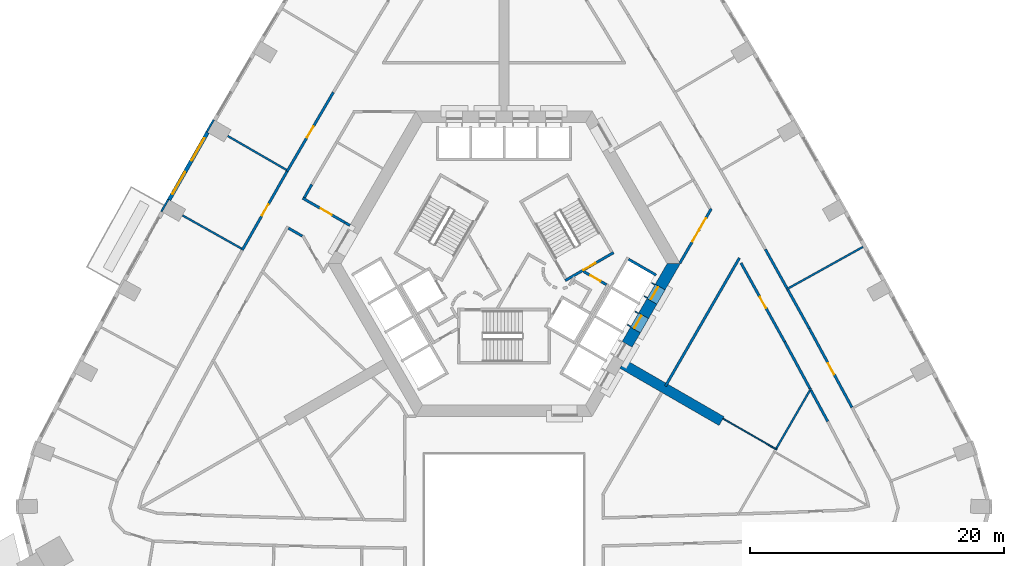
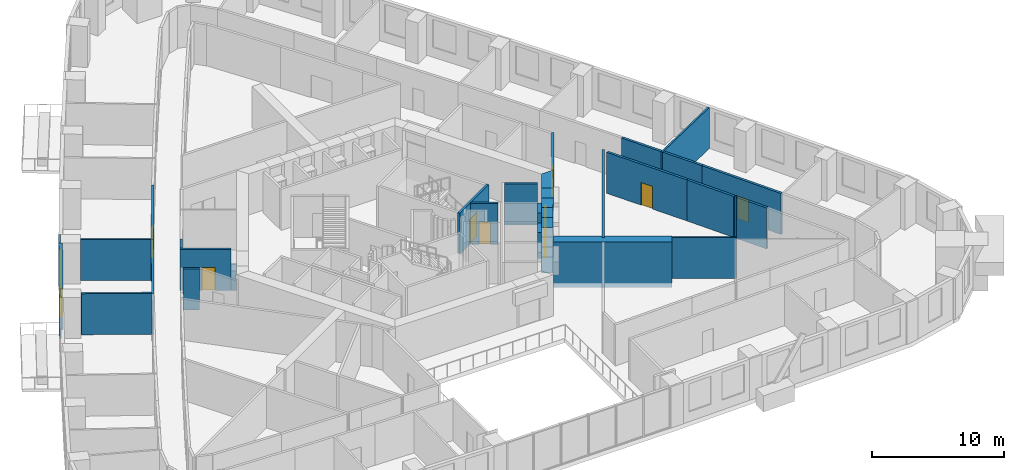
# One storey, part 8 of 15: 33 walls, 11 doors, 2 windows, 13 openings.
"""IFC4 building model written with IfcOpenShell, lengths in metres."""

from ifc_helpers import new_model, si_unit, direction, frame, frame_2d, origin, place, context, subcontext, project, spatial, polyline, rectangle, outline, extrude, material, layer, layer_set, type_object, element, fill, save


model = new_model("IFC4")

# Units and contexts
model_context = context("Model", 3, precision=1e-05, world=origin(), true_north=direction((0.0, 1.0)))
body_context = subcontext(model_context, "Body", "Model", "MODEL_VIEW")
ifc_project = project(units=[si_unit("LENGTHUNIT", "METRE"), si_unit("AREAUNIT", "SQUARE_METRE"), si_unit("VOLUMEUNIT", "CUBIC_METRE"), si_unit("PLANEANGLEUNIT", "RADIAN"), si_unit("MASSUNIT", "GRAM", prefix="KILO")], contexts=[model_context])

# Site, building, storey
site_placement = place(None, origin())
site = spatial("IfcSite", under=ifc_project, at=site_placement, CompositionType="ELEMENT")
building_placement = place(site_placement, origin())
building = spatial("IfcBuilding", under=site, at=building_placement, Name="Entoto Arch Interchange Tower", CompositionType="ELEMENT")
storey_placement = place(building_placement, frame((0.0, 0.0, 107.60009765625)))
storey = spatial("IfcBuildingStorey", under=building, at=storey_placement, Name="L23", CompositionType="ELEMENT", Elevation=107.60009765625)

# Walls
ifc_material_1 = material(Name="Concrete C60/75", Category="concrete")
ifc_layer_1 = layer(ifc_material_1, 0.800048828125)
ifc_layer_set_1 = layer_set([ifc_layer_1], Name="Concrete C60/75")
wall_type_1 = type_object("IfcWallType", Name="Buttress wall 800 C60/75", PredefinedType="SHEAR", material=ifc_layer_set_1)
wall_1_placement = place(storey_placement, frame((9.31005859375, -5.375, -0.400146484375), z_axis=(0.0, 0.0, 1.0), x_axis=(0.866017533419, -0.500013631625, 0.0)))
element("IfcWall", 1, at=wall_1_placement, inside=storey, type_object=wall_type_1, Name="Buttress wall SE L23", PredefinedType="SHEAR", context=body_context, shape_type="SweptSolid", body=[
    extrude(rectangle(XDim=8.999755859375, YDim=0.800048828125, at=frame_2d((4.5, 0.0))), origin(), (0.0, 0.0, 1.0), 4.199951171875),
])
ifc_layer_2 = layer(ifc_material_1, 0.89990234375)
ifc_layer_set_2 = layer_set([ifc_layer_2], Name="Concrete C60/75")
wall_type_2 = type_object("IfcWallType", Name="Core wall 900 C60/75", PredefinedType="SHEAR", material=ifc_layer_set_2)
wall_2_placement = place(storey_placement, frame((0.0, 0.0, -0.400146484375)))
element("IfcWall", 2, at=wall_2_placement, inside=storey, type_object=wall_type_2, Name="Core wall SE L23", PredefinedType="SHEAR", context=body_context, shape_type="SweptSolid", body=[
    extrude(outline(polyline([(10.717041015625, -2.93701171875), (9.93798828125, -2.487060546875), (9.2880859375, -3.613037109375), (10.06689453125, -4.06298828125), (10.717041015625, -2.93701171875)])), origin(), (0.0, 0.0, 1.0), 4.199951171875),
])
wall_3_placement = place(storey_placement, frame((0.0, 0.0, -0.400146484375)))
element("IfcWall", 3, at=wall_3_placement, inside=storey, type_object=wall_type_2, Name="Core wall SE L23", PredefinedType="SHEAR", context=body_context, shape_type="SweptSolid", body=[
    extrude(outline(polyline([(12.01708984375, -0.68603515625), (11.238037109375, -0.236083984375), (10.587890625, -1.361083984375), (11.366943359375, -1.81103515625), (12.01708984375, -0.68603515625)])), origin(), (0.0, 0.0, 1.0), 4.199951171875),
])
wall_4_placement = place(storey_placement, frame((0.0, 0.0, -0.400146484375)))
element("IfcWall", 4, at=wall_4_placement, inside=storey, type_object=wall_type_2, Name="Core wall SE L23", PredefinedType="SHEAR", context=body_context, shape_type="SweptSolid", body=[
    extrude(outline(polyline([(11.887939453125, 0.889892578125), (12.6669921875, 0.43994140625), (13.85595703125, 2.5), (12.81689453125, 2.5), (11.887939453125, 0.889892578125)])), origin(), (0.0, 0.0, 1.0), 4.199951171875),
])
wall_5_placement = place(storey_placement, frame((0.0, 0.0, 3.599853515625)))
element("IfcWall", 5, at=wall_5_placement, inside=storey, type_object=wall_type_2, Name="Core wall lintel SE L23", PredefinedType="SHEAR", context=body_context, shape_type="SweptSolid", body=[
    extrude(outline(polyline([(11.366943359375, -1.81103515625), (10.587890625, -1.361083984375), (9.93798828125, -2.487060546875), (10.717041015625, -2.93701171875), (11.366943359375, -1.81103515625)])), origin(), (0.0, 0.0, 1.0), 0.199951171875),
])
wall_6_placement = place(storey_placement, frame((0.0, 0.0, 3.599853515625)))
element("IfcWall", 6, at=wall_6_placement, inside=storey, type_object=wall_type_2, Name="Core wall lintel SE L23", PredefinedType="SHEAR", context=body_context, shape_type="SweptSolid", body=[
    extrude(outline(polyline([(12.6669921875, 0.43994140625), (11.887939453125, 0.889892578125), (11.238037109375, -0.236083984375), (12.01708984375, -0.68603515625), (12.6669921875, 0.43994140625)])), origin(), (0.0, 0.0, 1.0), 0.199951171875),
])

# Wall, opening, door
ifc_material_2 = material(Name="Concrete C40/50", Category="concrete")
ifc_layer_3 = layer(ifc_material_2, 1.199951171875)
ifc_layer_set_3 = layer_set([ifc_layer_3], Name="Concrete C40/50")
wall_type_3 = type_object("IfcWallType", Name="LIFT LANDING INFILL WALL", PredefinedType="STANDARD", material=ifc_layer_set_3)
wall_7_placement = place(storey_placement, frame((10.197998046875, -2.636962890625, 0.0), z_axis=(0.0, 0.0, 1.0), x_axis=(0.49989585183, 0.866085525409, 0.0)))
wall_7 = element("IfcWall", 7, at=wall_7_placement, inside=storey, type_object=wall_type_3, Name="Lift landing infill wall LR7 L23", PredefinedType="STANDARD", context=body_context, shape_type="SweptSolid", body=[
    extrude(rectangle(XDim=1.300048828125, YDim=1.199951171875, at=frame_2d((0.64990234375, 0.0))), origin(), (0.0, 0.0, 1.0), 2.39990234375),
])
opening_1_placement = place(wall_7_placement, frame((0.10009765625, 0.0, 0.0)))
opening_1 = element("IfcOpeningElement", 8, at=opening_1_placement, cuts=wall_7, Name="Opening LD-LR7-L23", PredefinedType="OPENING", context=body_context, shape_type="SweptSolid", body=[
    extrude(rectangle(XDim=1.10009765625, YDim=2.300048828125, at=frame_2d((0.550048828125, 1.14990234375))), frame((0.0, 0.60986328125, 0.0), z_axis=(0.0, -1.0, 0.0), x_axis=(1.0, 0.0, 0.0)), (0.0, 0.0, 1.0), 1.219970703125),
])
ifc_material_3 = material(Name="Stainless steel 1.4301 panels", Category="steel")
door_type_1 = type_object("IfcDoorType", Name="LIFT LANDING DOOR LD2 1100x2300", OperationType="SLIDING_TO_LEFT", PredefinedType="DOOR", material=ifc_material_3)
door_1_placement = place(opening_1_placement, origin())
door_1 = element("IfcDoor", 9, at=door_1_placement, inside=storey, type_object=door_type_1, Name="Lift landing door LR7 L23", OperationType="SLIDING_TO_LEFT", OverallHeight=2.300048828125, OverallWidth=1.10009765625, PredefinedType="DOOR", context=body_context, shape_type="SweptSolid", body=[
    extrude(rectangle(XDim=1.10009765625, YDim=2.300048828125, at=frame_2d((0.550048828125, 1.14990234375))), frame((0.0, 0.02490234375, 0.0), z_axis=(0.0, -1.0, 0.0), x_axis=(1.0, 0.0, 0.0)), (0.0, 0.0, 1.0), 0.050048828125),
])
fill(opening_1, door_1)

wall_8_placement = place(storey_placement, frame((11.498046875, -0.385009765625, 0.0), z_axis=(0.0, 0.0, 1.0), x_axis=(0.500221244143, 0.865897630733, 0.0)))
wall_8 = element("IfcWall", 10, at=wall_8_placement, inside=storey, type_object=wall_type_3, Name="Lift landing infill wall LR8 L23", PredefinedType="STANDARD", context=body_context, shape_type="SweptSolid", body=[
    extrude(rectangle(XDim=1.29931640625, YDim=1.199951171875, at=frame_2d((0.649658203125, 0.0))), origin(), (0.0, 0.0, 1.0), 2.39990234375),
])
opening_2_placement = place(wall_8_placement, frame((0.10009765625, 0.0, 0.0)))
opening_2 = element("IfcOpeningElement", 11, at=opening_2_placement, cuts=wall_8, Name="Opening LD-LR8-L23", PredefinedType="OPENING", context=body_context, shape_type="SweptSolid", body=[
    extrude(rectangle(XDim=1.10009765625, YDim=2.300048828125, at=frame_2d((0.550048828125, 1.14990234375))), frame((0.0, 0.60986328125, 0.0), z_axis=(0.0, -1.0, 0.0), x_axis=(1.0, 0.0, 0.0)), (0.0, 0.0, 1.0), 1.219970703125),
])
door_2_placement = place(opening_2_placement, origin())
door_2 = element("IfcDoor", 12, at=door_2_placement, inside=storey, type_object=door_type_1, Name="Lift landing door LR8 L23", OperationType="SLIDING_TO_LEFT", OverallHeight=2.300048828125, OverallWidth=1.10009765625, PredefinedType="DOOR", context=body_context, shape_type="SweptSolid", body=[
    extrude(rectangle(XDim=1.10009765625, YDim=2.300048828125, at=frame_2d((0.550048828125, 1.14990234375))), frame((0.0, 0.02490234375, 0.0), z_axis=(0.0, -1.0, 0.0), x_axis=(1.0, 0.0, 0.0)), (0.0, 0.0, 1.0), 0.050048828125),
])
fill(opening_2, door_2)

# Walls
ifc_layer_4 = layer(ifc_material_2, 0.199951171875)
ifc_layer_set_4 = layer_set([ifc_layer_4], Name="Concrete C40/50")
wall_type_4 = type_object("IfcWallType", Name="LIFT SHAFT WALL 200", PredefinedType="STANDARD", material=ifc_layer_set_4)
wall_9_placement = place(storey_placement, frame((9.7880859375, 2.85302734375, 0.0), z_axis=(0.0, 0.0, 1.0), x_axis=(0.865998541277, -0.500046524342, 0.0)))
element("IfcWall", 13, at=wall_9_placement, inside=storey, type_object=wall_type_4, Name="Shaft wall SE3 cross 5", PredefinedType="STANDARD", context=body_context, shape_type="SweptSolid", body=[
    extrude(rectangle(XDim=2.499755859375, YDim=0.199951171875, at=frame_2d((1.25, 0.0))), origin(), (0.0, 0.0, 1.0), 3.7998046875),
])
ifc_material_4 = material(Name="Gypsum board partition on steel studs", Category="steel")
ifc_layer_5 = layer(ifc_material_4, 0.10009765625)
ifc_layer_set_5 = layer_set([ifc_layer_5], Name="Gypsum board partition on steel studs")
wall_type_5 = type_object("IfcWallType", Name="PARTITION 100", PredefinedType="PARTITIONING", material=ifc_layer_set_5)
wall_10_placement = place(storey_placement, frame((17.218994140625, -9.676025390625, 0.0), z_axis=(0.0, 0.0, 1.0), x_axis=(0.86598459596, -0.500070674565, 0.0)))
element("IfcWall", 14, at=wall_10_placement, inside=storey, type_object=wall_type_5, Name="wall:L23:p123", PredefinedType="PARTITIONING", context=body_context, shape_type="SweptSolid", body=[
    extrude(rectangle(XDim=4.875244140625, YDim=0.10009765625, at=frame_2d((2.4375, 0.0))), origin(), (0.0, 0.0, 1.0), 3.7998046875),
])
ifc_layer_6 = layer(ifc_material_4, 0.14990234375)
ifc_layer_set_6 = layer_set([ifc_layer_6], Name="Gypsum board partition on steel studs")
wall_type_6 = type_object("IfcWallType", Name="PARTITION 150", PredefinedType="PARTITIONING", material=ifc_layer_set_6)
wall_11_placement = place(storey_placement, frame((24.136962890625, -7.2939453125, 0.0), z_axis=(0.0, 0.0, 1.0), x_axis=(-0.500001804394, -0.866024362014, 0.0)))
element("IfcWall", 15, at=wall_11_placement, inside=storey, type_object=wall_type_6, Name="wall:L23:p125", PredefinedType="PARTITIONING", context=body_context, shape_type="SweptSolid", body=[
    extrude(rectangle(XDim=5.47216796875, YDim=0.14990234375, at=frame_2d((2.736083984375, 0.0))), origin(), (0.0, 0.0, 1.0), 3.7998046875),
])
wall_12_placement = place(storey_placement, frame((22.18505859375, 0.472900390625, 0.0), z_axis=(0.0, 0.0, 1.0), x_axis=(0.874372498137, 0.485255329184, 0.0)))
element("IfcWall", 16, at=wall_12_placement, inside=storey, type_object=wall_type_6, Name="wall:L23:p141", PredefinedType="PARTITIONING", context=body_context, shape_type="SweptSolid", body=[
    extrude(rectangle(XDim=6.899658203125, YDim=0.14990234375, at=frame_2d((3.44970703125, 0.0))), origin(), (0.0, 0.0, 1.0), 3.7998046875),
])
wall_13_placement = place(storey_placement, frame((-17.10400390625, 9.875, 0.0), z_axis=(0.0, 0.0, 1.0), x_axis=(-0.866024640963, 0.500001321243, 0.0)))
element("IfcWall", 17, at=wall_13_placement, inside=storey, type_object=wall_type_6, Name="wall:L23:p148", PredefinedType="PARTITIONING", context=body_context, shape_type="SweptSolid", body=[
    extrude(rectangle(XDim=5.330078125, YDim=0.14990234375, at=frame_2d((2.6650390625, 0.0))), origin(), (0.0, 0.0, 1.0), 3.7998046875),
])
wall_14_placement = place(storey_placement, frame((-20.631103515625, 3.68505859375, 0.0), z_axis=(0.0, 0.0, 1.0), x_axis=(-0.871680720442, 0.490074200106, 0.0)))
element("IfcWall", 18, at=wall_14_placement, inside=storey, type_object=wall_type_6, Name="wall:L23:p149", PredefinedType="PARTITIONING", context=body_context, shape_type="SweptSolid", body=[
    extrude(rectangle(XDim=5.329833984375, YDim=0.14990234375, at=frame_2d((2.6650390625, 0.0))), origin(), (0.0, 0.0, 1.0), 3.7998046875),
])
ifc_layer_7 = layer(ifc_material_4, 0.199951171875)
ifc_layer_set_7 = layer_set([ifc_layer_7], Name="Gypsum board partition on steel studs")
wall_type_7 = type_object("IfcWallType", Name="PARTITION 200", PredefinedType="PARTITIONING", material=ifc_layer_set_7)
wall_15_placement = place(storey_placement, frame((-15.112060546875, 8.72509765625, 0.0), z_axis=(0.0, 0.0, 1.0), x_axis=(-0.495074026382, -0.868850797549, 0.0)))
element("IfcWall", 19, at=wall_15_placement, inside=storey, type_object=wall_type_7, Name="wall:L23:p003", PredefinedType="PARTITIONING", context=body_context, shape_type="SweptSolid", body=[
    extrude(rectangle(XDim=1.185546875, YDim=0.199951171875, at=frame_2d((0.5927734375, 0.0))), origin(), (0.0, 0.0, 1.0), 3.7998046875),
])

# Wall, opening, door
wall_16_placement = place(storey_placement, frame((-15.8349609375, 7.657958984375, 0.0), z_axis=(0.0, 0.0, 1.0), x_axis=(0.866076614194, -0.499911290476, 0.0)))
wall_16 = element("IfcWall", 20, at=wall_16_placement, inside=storey, type_object=wall_type_7, Name="wall:L23:p004", PredefinedType="PARTITIONING", context=body_context, shape_type="SweptSolid", body=[
    extrude(rectangle(XDim=3.842529296875, YDim=0.199951171875, at=frame_2d((1.92138671875, 0.0))), origin(), (0.0, 0.0, 1.0), 3.7998046875),
])
opening_3_placement = place(wall_16_placement, frame((1.64599609375, 0.0, 0.0)))
opening_3 = element("IfcOpeningElement", 21, at=opening_3_placement, cuts=wall_16, Name="Opening L23-D33", PredefinedType="OPENING", context=body_context, shape_type="SweptSolid", body=[
    extrude(rectangle(XDim=1.0, YDim=2.10009765625, at=frame_2d((0.5, 1.050048828125))), frame((0.0, 0.10986328125, 0.0), z_axis=(0.0, -1.0, 0.0), x_axis=(1.0, 0.0, 0.0)), (0.0, 0.0, 1.0), 0.219970703125),
])
ifc_material_5 = material(Name="Timber door leaf in Steel S235 frame", Category="steel")
door_type_2 = type_object("IfcDoorType", Name="DOOR DS-10 1000x2100", OperationType="SINGLE_SWING_LEFT", PredefinedType="DOOR", material=ifc_material_5)
door_3_placement = place(opening_3_placement, origin())
door_3 = element("IfcDoor", 22, at=door_3_placement, inside=storey, type_object=door_type_2, Name="door:L23:33", OperationType="SINGLE_SWING_LEFT", OverallHeight=2.10009765625, OverallWidth=1.0, PredefinedType="DOOR", context=body_context, shape_type="SweptSolid", body=[
    extrude(rectangle(XDim=1.0, YDim=2.10009765625, at=frame_2d((0.5, 1.050048828125))), frame((0.0, 0.02490234375, 0.0), z_axis=(0.0, -1.0, 0.0), x_axis=(1.0, 0.0, 0.0)), (0.0, 0.0, 1.0), 0.050048828125),
])
fill(opening_3, door_3)

# Wall
wall_17_placement = place(storey_placement, frame((24.051025390625, -7.31494140625, 0.0), z_axis=(0.0, 0.0, 1.0), x_axis=(-0.475308630647, 0.87981913234, 0.0)))
element("IfcWall", 23, at=wall_17_placement, inside=storey, type_object=wall_type_7, Name="wall:L23:p019", PredefinedType="PARTITIONING", context=body_context, shape_type="SweptSolid", body=[
    extrude(rectangle(XDim=4.165771484375, YDim=0.199951171875, at=frame_2d((2.0830078125, 0.0))), origin(), (0.0, 0.0, 1.0), 3.7998046875),
])

# Wall, opening, door
wall_18_placement = place(storey_placement, frame((22.071044921875, -3.64990234375, 0.0), z_axis=(0.0, 0.0, 1.0), x_axis=(-0.485198988697, 0.874403763354, 0.0)))
wall_18 = element("IfcWall", 24, at=wall_18_placement, inside=storey, type_object=wall_type_7, Name="wall:L23:p020", PredefinedType="PARTITIONING", context=body_context, shape_type="SweptSolid", body=[
    extrude(rectangle(XDim=7.098388671875, YDim=0.199951171875, at=frame_2d((3.54931640625, 0.0))), origin(), (0.0, 0.0, 1.0), 3.7998046875),
])
opening_4_placement = place(wall_18_placement, frame((3.049072265625, 0.0, 0.0)))
opening_4 = element("IfcOpeningElement", 25, at=opening_4_placement, cuts=wall_18, Name="Opening L23-D22", PredefinedType="OPENING", context=body_context, shape_type="SweptSolid", body=[
    extrude(rectangle(XDim=1.0, YDim=2.10009765625, at=frame_2d((0.5, 1.050048828125))), frame((0.0, 0.10986328125, 0.0), z_axis=(0.0, -1.0, 0.0), x_axis=(1.0, 0.0, 0.0)), (0.0, 0.0, 1.0), 0.219970703125),
])
door_4_placement = place(opening_4_placement, origin())
door_4 = element("IfcDoor", 26, at=door_4_placement, inside=storey, type_object=door_type_2, Name="door:L23:22", OperationType="SINGLE_SWING_RIGHT", OverallHeight=2.10009765625, OverallWidth=1.0, PredefinedType="DOOR", context=body_context, shape_type="SweptSolid", body=[
    extrude(rectangle(XDim=1.0, YDim=2.10009765625, at=frame_2d((0.5, 1.050048828125))), frame((0.0, 0.02490234375, 0.0), z_axis=(0.0, -1.0, 0.0), x_axis=(1.0, 0.0, 0.0)), (0.0, 0.0, 1.0), 0.050048828125),
])
fill(opening_4, door_4)

# Walls
wall_19_placement = place(storey_placement, frame((25.446044921875, -9.89599609375, 0.0), z_axis=(0.0, 0.0, 1.0), x_axis=(-0.475427182652, 0.879755076141, 0.0)))
element("IfcWall", 27, at=wall_19_placement, inside=storey, type_object=wall_type_7, Name="wall:L23:p026", PredefinedType="PARTITIONING", context=body_context, shape_type="SweptSolid", body=[
    extrude(rectangle(XDim=2.784912109375, YDim=0.199951171875, at=frame_2d((1.392578125, 0.0))), origin(), (0.0, 0.0, 1.0), 3.7998046875),
])
wall_20_placement = place(storey_placement, frame((-15.860107421875, 4.6708984375, 0.0), z_axis=(0.0, 0.0, 1.0), x_axis=(-0.866192052573, 0.49971124468, 0.0)))
element("IfcWall", 28, at=wall_20_placement, inside=storey, type_object=wall_type_7, Name="wall:L23:p029", PredefinedType="PARTITIONING", context=body_context, shape_type="SweptSolid", body=[
    extrude(rectangle(XDim=1.257080078125, YDim=0.199951171875, at=frame_2d((0.62841796875, 0.0))), origin(), (0.0, 0.0, 1.0), 3.7998046875),
])
wall_21_placement = place(storey_placement, frame((22.30908203125, 0.4560546875, 0.0), z_axis=(0.0, 0.0, 1.0), x_axis=(0.484982854201, -0.87452365956, 0.0)))
element("IfcWall", 29, at=wall_21_placement, inside=storey, type_object=wall_type_7, Name="wall:L23:p050", PredefinedType="PARTITIONING", context=body_context, shape_type="SweptSolid", body=[
    extrude(rectangle(XDim=3.486572265625, YDim=0.199951171875, at=frame_2d((1.7431640625, 0.0))), origin(), (0.0, 0.0, 1.0), 3.7998046875),
])

# Wall, opening, door
wall_22_placement = place(storey_placement, frame((24.0, -2.593017578125, 0.0), z_axis=(0.0, 0.0, 1.0), x_axis=(0.475480817472, -0.879726089312, 0.0)))
wall_22 = element("IfcWall", 30, at=wall_22_placement, inside=storey, type_object=wall_type_7, Name="wall:L23:p051", PredefinedType="PARTITIONING", context=body_context, shape_type="SweptSolid", body=[
    extrude(rectangle(XDim=7.0498046875, YDim=0.199951171875, at=frame_2d((3.52490234375, 0.0))), origin(), (0.0, 0.0, 1.0), 3.7998046875),
])
opening_5_placement = place(wall_22_placement, frame((3.10009765625, 0.0, 0.0)))
opening_5 = element("IfcOpeningElement", 31, at=opening_5_placement, cuts=wall_22, Name="Opening L23-D05", PredefinedType="OPENING", context=body_context, shape_type="SweptSolid", body=[
    extrude(rectangle(XDim=1.0, YDim=2.10009765625, at=frame_2d((0.5, 1.050048828125))), frame((0.0, 0.10986328125, 0.0), z_axis=(0.0, -1.0, 0.0), x_axis=(1.0, 0.0, 0.0)), (0.0, 0.0, 1.0), 0.219970703125),
])
door_5_placement = place(opening_5_placement, origin())
door_5 = element("IfcDoor", 32, at=door_5_placement, inside=storey, type_object=door_type_2, Name="door:L23:05", OperationType="SINGLE_SWING_LEFT", OverallHeight=2.10009765625, OverallWidth=1.0, PredefinedType="DOOR", context=body_context, shape_type="SweptSolid", body=[
    extrude(rectangle(XDim=1.0, YDim=2.10009765625, at=frame_2d((0.5, 1.050048828125))), frame((0.0, 0.02490234375, 0.0), z_axis=(0.0, -1.0, 0.0), x_axis=(1.0, 0.0, 0.0)), (0.0, 0.0, 1.0), 0.050048828125),
])
fill(opening_5, door_5)

# Wall
wall_23_placement = place(storey_placement, frame((20.5439453125, 3.635986328125, 0.0), z_axis=(0.0, 0.0, 1.0), x_axis=(0.485250552989, -0.874375148792, 0.0)))
element("IfcWall", 33, at=wall_23_placement, inside=storey, type_object=wall_type_7, Name="wall:L23:p053", PredefinedType="PARTITIONING", context=body_context, shape_type="SweptSolid", body=[
    extrude(rectangle(XDim=3.487060546875, YDim=0.199951171875, at=frame_2d((1.74365234375, 0.0))), origin(), (0.0, 0.0, 1.0), 3.7998046875),
])

# Wall, opening, door
wall_24_placement = place(storey_placement, frame((-17.054931640625, 9.760009765625, 0.0), z_axis=(0.0, 0.0, 1.0), x_axis=(0.504817517618, 0.863226085047, 0.0)))
wall_24 = element("IfcWall", 34, at=wall_24_placement, inside=storey, type_object=wall_type_7, Name="wall:L23:p067", PredefinedType="PARTITIONING", context=body_context, shape_type="SweptSolid", body=[
    extrude(rectangle(XDim=7.19873046875, YDim=0.199951171875, at=frame_2d((3.599365234375, 0.0))), origin(), (0.0, 0.0, 1.0), 3.7998046875),
])
opening_6_placement = place(wall_24_placement, frame((3.09912109375, 0.0, 0.0)))
opening_6 = element("IfcOpeningElement", 35, at=opening_6_placement, cuts=wall_24, Name="Opening L23-D12", PredefinedType="OPENING", context=body_context, shape_type="SweptSolid", body=[
    extrude(rectangle(XDim=1.0, YDim=2.10009765625, at=frame_2d((0.5, 1.050048828125))), frame((0.0, 0.10986328125, 0.0), z_axis=(0.0, -1.0, 0.0), x_axis=(1.0, 0.0, 0.0)), (0.0, 0.0, 1.0), 0.219970703125),
])
door_6_placement = place(opening_6_placement, origin())
door_6 = element("IfcDoor", 36, at=door_6_placement, inside=storey, type_object=door_type_2, Name="door:L23:12", OperationType="SINGLE_SWING_LEFT", OverallHeight=2.10009765625, OverallWidth=1.0, PredefinedType="DOOR", context=body_context, shape_type="SweptSolid", body=[
    extrude(rectangle(XDim=1.0, YDim=2.10009765625, at=frame_2d((0.5, 1.050048828125))), frame((0.0, 0.02490234375, 0.0), z_axis=(0.0, -1.0, 0.0), x_axis=(1.0, 0.0, 0.0)), (0.0, 0.0, 1.0), 0.050048828125),
])
fill(opening_6, door_6)

wall_25_placement = place(storey_placement, frame((-20.5810546875, 3.571044921875, 0.0), z_axis=(0.0, 0.0, 1.0), x_axis=(0.495138372197, 0.868814129937, 0.0)))
wall_25 = element("IfcWall", 37, at=wall_25_placement, inside=storey, type_object=wall_type_7, Name="wall:L23:p069", PredefinedType="PARTITIONING", context=body_context, shape_type="SweptSolid", body=[
    extrude(rectangle(XDim=7.12353515625, YDim=0.199951171875, at=frame_2d((3.561767578125, 0.0))), origin(), (0.0, 0.0, 1.0), 3.7998046875),
])
opening_7_placement = place(wall_25_placement, frame((3.136962890625, 0.0, 0.0)))
opening_7 = element("IfcOpeningElement", 38, at=opening_7_placement, cuts=wall_25, Name="Opening L23-D13", PredefinedType="OPENING", context=body_context, shape_type="SweptSolid", body=[
    extrude(rectangle(XDim=1.0, YDim=2.10009765625, at=frame_2d((0.5, 1.050048828125))), frame((0.0, 0.10986328125, 0.0), z_axis=(0.0, -1.0, 0.0), x_axis=(1.0, 0.0, 0.0)), (0.0, 0.0, 1.0), 0.219970703125),
])
door_7_placement = place(opening_7_placement, origin())
door_7 = element("IfcDoor", 39, at=door_7_placement, inside=storey, type_object=door_type_2, Name="door:L23:13", OperationType="SINGLE_SWING_LEFT", OverallHeight=2.10009765625, OverallWidth=1.0, PredefinedType="DOOR", context=body_context, shape_type="SweptSolid", body=[
    extrude(rectangle(XDim=1.0, YDim=2.10009765625, at=frame_2d((0.5, 1.050048828125))), frame((0.0, 0.02490234375, 0.0), z_axis=(0.0, -1.0, 0.0), x_axis=(1.0, 0.0, 0.0)), (0.0, 0.0, 1.0), 0.050048828125),
])
fill(opening_7, door_7)

wall_26_placement = place(storey_placement, frame((6.25, 1.89404296875, 0.0), z_axis=(0.0, 0.0, 1.0), x_axis=(0.866043184279, -0.499969202016, 0.0)))
wall_26 = element("IfcWall", 40, at=wall_26_placement, inside=storey, type_object=wall_type_7, Name="wall:L23:p087", PredefinedType="PARTITIONING", context=body_context, shape_type="SweptSolid", body=[
    extrude(rectangle(XDim=2.084228515625, YDim=0.199951171875, at=frame_2d((1.0419921875, 0.0))), origin(), (0.0, 0.0, 1.0), 3.7998046875),
])
opening_8_placement = place(wall_26_placement, frame((0.64208984375, 0.0, 0.0)))
opening_8 = element("IfcOpeningElement", 41, at=opening_8_placement, cuts=wall_26, Name="Opening L23-D38", PredefinedType="OPENING", context=body_context, shape_type="SweptSolid", body=[
    extrude(rectangle(XDim=0.89990234375, YDim=2.10009765625, at=frame_2d((0.449951171875, 1.050048828125))), frame((0.0, 0.10986328125, 0.0), z_axis=(0.0, -1.0, 0.0), x_axis=(1.0, 0.0, 0.0)), (0.0, 0.0, 1.0), 0.219970703125),
])
door_type_3 = type_object("IfcDoorType", Name="DOOR DS-09 900x2100", OperationType="SINGLE_SWING_LEFT", PredefinedType="DOOR", material=ifc_material_5)
door_8_placement = place(opening_8_placement, origin())
door_8 = element("IfcDoor", 42, at=door_8_placement, inside=storey, type_object=door_type_3, Name="door:L23:38", OperationType="SINGLE_SWING_LEFT", OverallHeight=2.10009765625, OverallWidth=0.89990234375, PredefinedType="DOOR", context=body_context, shape_type="SweptSolid", body=[
    extrude(rectangle(XDim=0.89990234375, YDim=2.10009765625, at=frame_2d((0.449951171875, 1.050048828125))), frame((0.0, 0.02490234375, 0.0), z_axis=(0.0, -1.0, 0.0), x_axis=(1.0, 0.0, 0.0)), (0.0, 0.0, 1.0), 0.050048828125),
])
fill(opening_8, door_8)

# Wall, openings, doors
wall_27_placement = place(storey_placement, frame((13.826904296875, 2.550048828125, 0.0), z_axis=(0.0, 0.0, 1.0), x_axis=(0.500070719615, 0.865984569946, 0.0)))
wall_27 = element("IfcWall", 43, at=wall_27_placement, inside=storey, type_object=wall_type_7, Name="wall:L23:p098", PredefinedType="PARTITIONING", context=body_context, shape_type="SweptSolid", body=[
    extrude(rectangle(XDim=4.935302734375, YDim=0.199951171875, at=frame_2d((2.4677734375, 0.0))), origin(), (0.0, 0.0, 1.0), 3.7998046875),
])
opening_9_placement = place(wall_27_placement, frame((1.968017578125, 0.0, 0.0)))
opening_9 = element("IfcOpeningElement", 44, at=opening_9_placement, cuts=wall_27, Name="Opening L23-D34", PredefinedType="OPENING", context=body_context, shape_type="SweptSolid", body=[
    extrude(rectangle(XDim=1.0, YDim=2.10009765625, at=frame_2d((0.5, 1.050048828125))), frame((0.0, 0.10986328125, 0.0), z_axis=(0.0, -1.0, 0.0), x_axis=(1.0, 0.0, 0.0)), (0.0, 0.0, 1.0), 0.219970703125),
])
opening_10_placement = place(wall_27_placement, frame((3.068115234375, 0.0, 0.0)))
opening_10 = element("IfcOpeningElement", 45, at=opening_10_placement, cuts=wall_27, Name="Opening L23-D41", PredefinedType="OPENING", context=body_context, shape_type="SweptSolid", body=[
    extrude(rectangle(XDim=1.0, YDim=2.10009765625, at=frame_2d((0.5, 1.050048828125))), frame((0.0, 0.10986328125, 0.0), z_axis=(0.0, -1.0, 0.0), x_axis=(1.0, 0.0, 0.0)), (0.0, 0.0, 1.0), 0.219970703125),
])
door_9_placement = place(opening_9_placement, origin())
door_9 = element("IfcDoor", 46, at=door_9_placement, inside=storey, type_object=door_type_2, Name="door:L23:34", OperationType="SINGLE_SWING_LEFT", OverallHeight=2.10009765625, OverallWidth=1.0, PredefinedType="DOOR", context=body_context, shape_type="SweptSolid", body=[
    extrude(rectangle(XDim=1.0, YDim=2.10009765625, at=frame_2d((0.5, 1.050048828125))), frame((0.0, 0.02490234375, 0.0), z_axis=(0.0, -1.0, 0.0), x_axis=(1.0, 0.0, 0.0)), (0.0, 0.0, 1.0), 0.050048828125),
])
fill(opening_9, door_9)
door_10_placement = place(opening_10_placement, origin())
door_10 = element("IfcDoor", 47, at=door_10_placement, inside=storey, type_object=door_type_2, Name="door:L23:41", OperationType="SINGLE_SWING_RIGHT", OverallHeight=2.10009765625, OverallWidth=1.0, PredefinedType="DOOR", context=body_context, shape_type="SweptSolid", body=[
    extrude(rectangle(XDim=1.0, YDim=2.10009765625, at=frame_2d((0.5, 1.050048828125))), frame((0.0, 0.02490234375, 0.0), z_axis=(0.0, -1.0, 0.0), x_axis=(1.0, 0.0, 0.0)), (0.0, 0.0, 1.0), 0.050048828125),
])
fill(opening_10, door_10)

# Walls
wall_28_placement = place(storey_placement, frame((18.5029296875, 2.948974609375, 0.0), z_axis=(0.0, 0.0, 1.0), x_axis=(-0.49997390151, -0.86604047123, 0.0)))
element("IfcWall", 48, at=wall_28_placement, inside=storey, type_object=wall_type_7, Name="wall:L23:p122", PredefinedType="PARTITIONING", context=body_context, shape_type="SweptSolid", body=[
    extrude(rectangle(XDim=11.62646484375, YDim=0.199951171875, at=frame_2d((5.813232421875, 0.0))), origin(), (0.0, 0.0, 1.0), 3.7998046875),
])
wall_29_placement = place(storey_placement, frame((-12.507080078125, 5.737060546875, 0.0), z_axis=(0.0, 0.0, 1.0), x_axis=(0.866167537795, -0.499753735824, 0.0)))
element("IfcWall", 49, at=wall_29_placement, inside=storey, type_object=wall_type_7, Name="wall:L23:p004", PredefinedType="PARTITIONING", context=body_context, shape_type="SweptSolid", body=[
    extrude(rectangle(XDim=0.450439453125, YDim=0.199951171875, at=frame_2d((0.22509765625, 0.0))), origin(), (0.0, 0.0, 1.0), 2.39990234375),
])

# Wall, opening, door
ifc_layer_8 = layer(ifc_material_2, 0.199951171875)
ifc_layer_set_8 = layer_set([ifc_layer_8], Name="Concrete C40/50")
wall_type_8 = type_object("IfcWallType", Name="STAIR ENCLOSURE WALL 200", PredefinedType="STANDARD", material=ifc_layer_set_8)
wall_30_placement = place(storey_placement, frame((4.805908203125, 1.176025390625, 0.0), z_axis=(0.0, 0.0, 1.0), x_axis=(0.866059941101, 0.499940174841, 0.0)))
wall_30 = element("IfcWall", 50, at=wall_30_placement, inside=storey, type_object=wall_type_8, Name="Stair wall ST-NE near", PredefinedType="STANDARD", context=body_context, shape_type="SweptSolid", body=[
    extrude(rectangle(XDim=4.400390625, YDim=0.199951171875, at=frame_2d((2.2001953125, 0.0))), origin(), (0.0, 0.0, 1.0), 3.7998046875),
])
opening_11_placement = place(wall_30_placement, frame((1.64990234375, 0.0, 0.0)))
opening_11 = element("IfcOpeningElement", 51, at=opening_11_placement, cuts=wall_30, Name="Opening SD-ST-NE-L23-E", PredefinedType="OPENING", context=body_context, shape_type="SweptSolid", body=[
    extrude(rectangle(XDim=1.10009765625, YDim=2.199951171875, at=frame_2d((0.550048828125, 1.10009765625))), frame((0.0, 0.10986328125, 0.0), z_axis=(0.0, -1.0, 0.0), x_axis=(1.0, 0.0, 0.0)), (0.0, 0.0, 1.0), 0.219970703125),
])
ifc_material_6 = material(Name="Steel S235", Category="steel")
door_type_4 = type_object("IfcDoorType", Name="STAIR DOOR SD1 1100x2200", OperationType="SINGLE_SWING_LEFT", PredefinedType="DOOR", material=ifc_material_6)
door_11_placement = place(opening_11_placement, origin())
door_11 = element("IfcDoor", 52, at=door_11_placement, inside=storey, type_object=door_type_4, Name="Stair door ST-NE L23 end", OperationType="SINGLE_SWING_LEFT", OverallHeight=2.199951171875, OverallWidth=1.10009765625, PredefinedType="DOOR", context=body_context, shape_type="SweptSolid", body=[
    extrude(rectangle(XDim=1.10009765625, YDim=2.199951171875, at=frame_2d((0.550048828125, 1.10009765625))), frame((0.0, 0.02490234375, 0.0), z_axis=(0.0, -1.0, 0.0), x_axis=(1.0, 0.0, 0.0)), (0.0, 0.0, 1.0), 0.050048828125),
])
fill(opening_11, door_11)

# Wall, openings, windows
ifc_material_7 = material(Name="Welded tuff (ignimbrite) cladding, warm buff", Category="masonry")
ifc_layer_9 = layer(ifc_material_7, 0.300048828125)
ifc_layer_set_9 = layer_set([ifc_layer_9], Name="Welded tuff (ignimbrite) cladding, warm buff")
wall_type_9 = type_object("IfcWallType", Name="STONE INFILL WALL 300", PredefinedType="STANDARD", material=ifc_layer_set_9)
wall_31_placement = place(storey_placement, frame((-23.30810546875, 12.822998046875, 0.0), z_axis=(0.0, 0.0, 1.0), x_axis=(-0.495113375427, -0.868828375154, 0.0)))
wall_31 = element("IfcWall", 53, at=wall_31_placement, inside=storey, type_object=wall_type_9, Name="Facade wall NW-05 L23", PredefinedType="STANDARD", context=body_context, shape_type="SweptSolid", body=[
    extrude(rectangle(XDim=6.103515625, YDim=0.300048828125, at=frame_2d((3.0517578125, 0.0))), origin(), (0.0, 0.0, 1.0), 3.7998046875),
])
opening_12_placement = place(wall_31_placement, frame((0.52587890625, 0.0, 0.89990234375)))
opening_12 = element("IfcOpeningElement", 54, at=opening_12_placement, cuts=wall_31, Name="Opening WO-C", PredefinedType="OPENING", context=body_context, shape_type="SweptSolid", body=[
    extrude(rectangle(XDim=2.0, YDim=2.60009765625, at=frame_2d((1.0, 1.300048828125))), frame((0.0, 0.16015625, 0.0), z_axis=(0.0, -1.0, 0.0), x_axis=(1.0, 0.0, 0.0)), (0.0, 0.0, 1.0), 0.320068359375),
])
opening_13_placement = place(wall_31_placement, frame((3.577880859375, 0.0, 0.89990234375)))
opening_13 = element("IfcOpeningElement", 55, at=opening_13_placement, cuts=wall_31, Name="Opening WO-C", PredefinedType="OPENING", context=body_context, shape_type="SweptSolid", body=[
    extrude(rectangle(XDim=2.0, YDim=2.60009765625, at=frame_2d((1.0, 1.300048828125))), frame((0.0, 0.16015625, 0.0), z_axis=(0.0, -1.0, 0.0), x_axis=(1.0, 0.0, 0.0)), (0.0, 0.0, 1.0), 0.320068359375),
])
ifc_material_8 = material(Name="Clear glass, low-e double glazed", Category="glass")
window_type = type_object("IfcWindowType", Name="WINDOW WO-C 2000x2600", PartitioningType="DOUBLE_PANEL_VERTICAL", PredefinedType="WINDOW", material=ifc_material_8)
window_1_placement = place(opening_12_placement, origin())
window_1 = element("IfcWindow", 56, at=window_1_placement, inside=storey, type_object=window_type, Name="Window WO-C NW-05 L23", OverallHeight=2.60009765625, OverallWidth=2.0, PartitioningType="SINGLE_PANEL", PredefinedType="WINDOW", context=body_context, shape_type="SweptSolid", body=[
    extrude(rectangle(XDim=2.0, YDim=2.60009765625, at=frame_2d((1.0, 1.300048828125))), frame((0.0, 0.030029296875, 0.0), z_axis=(0.0, -1.0, 0.0), x_axis=(1.0, 0.0, 0.0)), (0.0, 0.0, 1.0), 0.06005859375),
])
fill(opening_12, window_1)
window_2_placement = place(opening_13_placement, origin())
window_2 = element("IfcWindow", 57, at=window_2_placement, inside=storey, type_object=window_type, Name="Window WO-C NW-05 L23", OverallHeight=2.60009765625, OverallWidth=2.0, PartitioningType="SINGLE_PANEL", PredefinedType="WINDOW", context=body_context, shape_type="SweptSolid", body=[
    extrude(rectangle(XDim=2.0, YDim=2.60009765625, at=frame_2d((1.0, 1.300048828125))), frame((0.0, 0.030029296875, 0.0), z_axis=(0.0, -1.0, 0.0), x_axis=(1.0, 0.0, 0.0)), (0.0, 0.0, 1.0), 0.06005859375),
])
fill(opening_13, window_2)

# Walls
ifc_layer_10 = layer(ifc_material_7, 0.14990234375)
ifc_layer_set_10 = layer_set([ifc_layer_10], Name="Welded tuff (ignimbrite) cladding, warm buff")
wall_type_10 = type_object("IfcWallType", Name="STONE PIER CLADDING 150", PredefinedType="STANDARD", material=ifc_layer_set_10)
wall_32_placement = place(storey_placement, frame((-22.825927734375, 13.81396484375, 0.0), z_axis=(0.0, 0.0, 1.0), x_axis=(-0.499933745558, -0.866063652425, 0.0)))
element("IfcWall", 58, at=wall_32_placement, inside=storey, type_object=wall_type_10, Name="Stone pier NW05 L23", PredefinedType="STANDARD", context=body_context, shape_type="SweptSolid", body=[
    extrude(rectangle(XDim=1.100341796875, YDim=0.14990234375, at=frame_2d((0.55029296875, 0.0))), origin(), (0.0, 0.0, 1.0), 3.7998046875),
])
wall_33_placement = place(storey_placement, frame((-26.39794921875, 7.55908203125, 0.0), z_axis=(0.0, 0.0, 1.0), x_axis=(-0.490008344094, -0.871717742574, 0.0)))
element("IfcWall", 59, at=wall_33_placement, inside=storey, type_object=wall_type_10, Name="Stone pier NW06 L23", PredefinedType="STANDARD", context=body_context, shape_type="SweptSolid", body=[
    extrude(rectangle(XDim=1.10009765625, YDim=0.14990234375, at=frame_2d((0.550048828125, 0.0))), origin(), (0.0, 0.0, 1.0), 3.7998046875),
])

save(model, "model.ifc")
